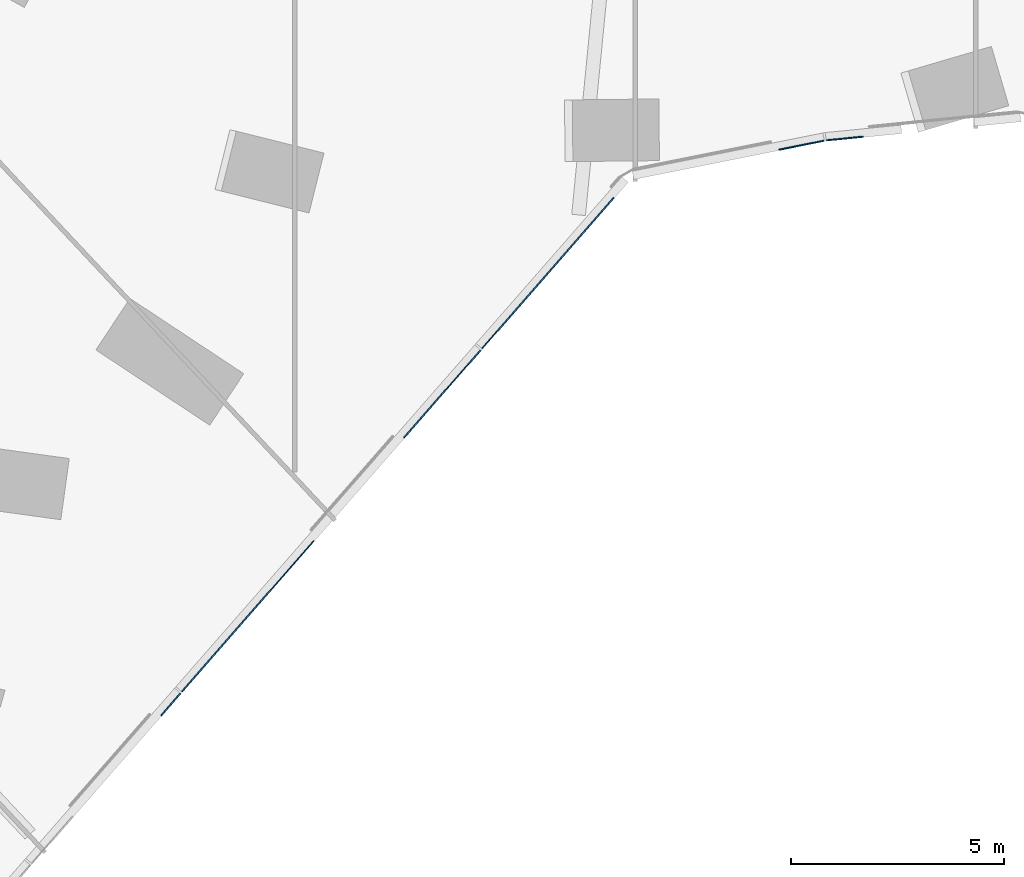
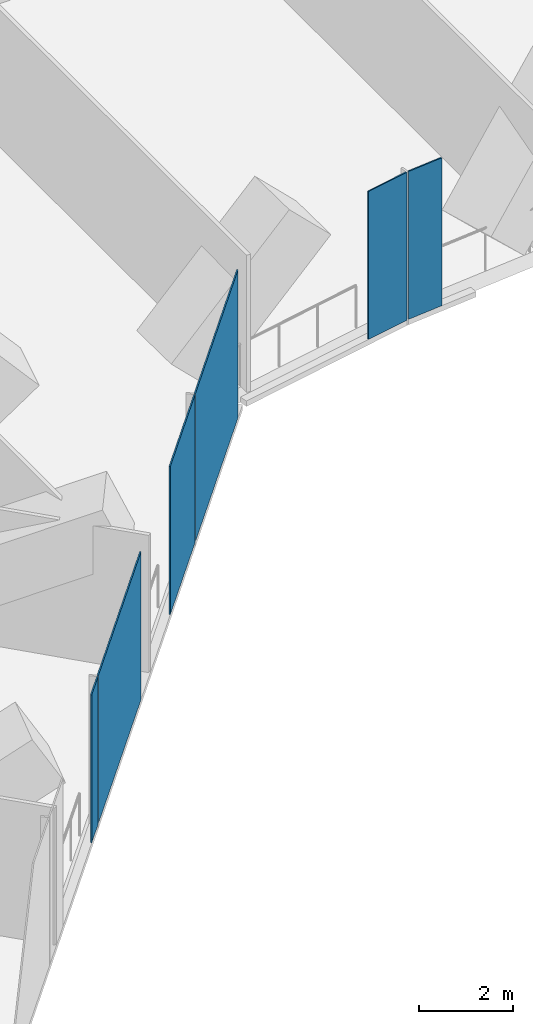
# One storey, part 16 of 31: 6 plates, 3 elements without a shape of their own.
"""IFC4 building model written with IfcOpenShell, lengths in metres."""

import ifcopenshell
import ifcopenshell.guid

model = None  # the IFC model being written
_history = None  # IfcOwnerHistory: only IFC2X3 demands one
_inside = {}  # id of a spatial element -> (the spatial element, [elements in it])
_under = {}  # id of a project, library or spatial element -> (it, [spatial elements below it])
_declared = {}  # id of a project -> (the project, [libraries it declares])
_typed = {}  # id of a type object -> (the type object, [elements of that type])
_made_of = {}  # id of a material, layer set ... -> (it, [elements and type objects made of it])


def new_model(schema):
    """Start an empty IFC model of exactly this schema.

    Asked for "IFC4X3", IfcOpenShell would pick the latest addendum, in which some entities
    have other attributes; the version numbers below select the first issue.
    IFC2X3 requires an IfcOwnerHistory on every rooted entity: one is made here for all.
    """
    global model, _history
    if schema == "IFC4X3":
        model = ifcopenshell.file(schema_version=(4, 3, 0, 0))
    else:
        model = ifcopenshell.file(schema=schema)
    _inside.clear()
    _under.clear()
    _declared.clear()
    _typed.clear()
    _made_of.clear()
    _history = None
    if model.schema == "IFC2X3":
        org = make("IfcOrganization", Name="unknown")
        user = make(
            "IfcPersonAndOrganization",
            ThePerson=make("IfcPerson", FamilyName="unknown"),
            TheOrganization=org,
        )
        app = make(
            "IfcApplication",
            ApplicationDeveloper=org,
            Version="unknown",
            ApplicationFullName="unknown",
            ApplicationIdentifier="unknown",
        )
        _history = make(
            "IfcOwnerHistory",
            OwningUser=user,
            OwningApplication=app,
            ChangeAction="ADDED",
            CreationDate=0,
        )
    return model


def make(cls, **values):
    """One entity of the class cls with the attributes given. An attribute that is None is left unset."""
    return model.create_entity(
        cls, **{name: value for name, value in values.items() if value is not None}
    )


def rooted(cls, **values):
    """An entity with a GlobalId (a new one), such as an element, a storey or a relation."""
    return make(cls, GlobalId=ifcopenshell.guid.new(), OwnerHistory=_history, **values)


def si_unit(unit_type, name, prefix=None):
    """IfcSIUnit, for example si_unit("LENGTHUNIT", "METRE", prefix="MILLI")."""
    return make("IfcSIUnit", UnitType=unit_type, Prefix=prefix, Name=name)


def assignment(units):
    """IfcUnitAssignment: the units of a project."""
    return None if units is None else make("IfcUnitAssignment", Units=units)


def point(xyz):
    """IfcCartesianPoint."""
    return None if xyz is None else make("IfcCartesianPoint", Coordinates=xyz)


def direction(xyz):
    """IfcDirection."""
    return None if xyz is None else make("IfcDirection", DirectionRatios=xyz)


def frame(location, z_axis=None, x_axis=None):
    """IfcAxis2Placement3D, a coordinate frame: its origin and axes. An axis left out is left unset."""
    return make(
        "IfcAxis2Placement3D",
        Location=point(location),
        Axis=direction(z_axis),
        RefDirection=direction(x_axis),
    )


def frame_2d(location, x_axis=None):
    """IfcAxis2Placement2D, a coordinate frame in the plane: its origin and x axis."""
    return make(
        "IfcAxis2Placement2D", Location=point(location), RefDirection=direction(x_axis)
    )


def origin():
    """The frame at (0, 0, 0) with its axes left unset."""
    return frame((0.0, 0.0, 0.0))


def origin_2d():
    """The frame at (0, 0) in the plane with its x axis left unset."""
    return frame_2d((0.0, 0.0))


def place(relative_to, where):
    """IfcLocalPlacement: puts the frame where relative to a parent placement (None: the world)."""
    return make(
        "IfcLocalPlacement", PlacementRelTo=relative_to, RelativePlacement=where
    )


def context(
    kind, dimensions, precision=None, world=None, true_north=None, identifier=None
):
    """IfcGeometricRepresentationContext, for example the 3D "Model" context."""
    return make(
        "IfcGeometricRepresentationContext",
        ContextIdentifier=identifier,
        ContextType=kind,
        CoordinateSpaceDimension=dimensions,
        Precision=precision,
        WorldCoordinateSystem=world,
        TrueNorth=true_north,
    )


def subcontext(parent, identifier, kind, view, scale=None):
    """IfcGeometricRepresentationSubContext, for example "Body" below "Model"."""
    return make(
        "IfcGeometricRepresentationSubContext",
        ContextIdentifier=identifier,
        ContextType=kind,
        ParentContext=parent,
        TargetScale=scale,
        TargetView=view,
    )


def project(units=None, contexts=None):
    """IfcProject with its units and contexts."""
    return rooted(
        "IfcProject",
        Name="project",
        RepresentationContexts=contexts,
        UnitsInContext=assignment(units),
    )


def spatial(cls, under=None, at=None, **own):
    """A site, building, storey or space (cls), placed at a placement, below another one or the project."""
    s = rooted(cls, ObjectPlacement=at, **own)
    if under is not None:
        _under.setdefault(under.id(), (under, []))[1].append(s)
    return s


def profile(cls, at=None, kind="AREA", **sizes):
    """A parametric profile (cls). Its sizes go by their IFC names, for example OverallWidth=200.0."""
    return make(cls, ProfileType=kind, Position=at, **sizes)


def rectangle(**sizes):
    """IfcRectangleProfileDef."""
    return profile("IfcRectangleProfileDef", **sizes)


def extrude(swept, where, along, depth):
    """IfcExtrudedAreaSolid: the profile swept, set in the frame where, extruded along a direction by depth."""
    return make(
        "IfcExtrudedAreaSolid",
        SweptArea=swept,
        Position=where,
        ExtrudedDirection=direction(along),
        Depth=depth,
    )


def shape(context_of_items, identifier, shape_type, items):
    """IfcShapeRepresentation: the items that make up one representation, for example the "Body"."""
    return make(
        "IfcShapeRepresentation",
        ContextOfItems=context_of_items,
        RepresentationIdentifier=identifier,
        RepresentationType=shape_type,
        Items=items,
    )


def material(Name=None, Category=None):
    """IfcMaterial."""
    return make("IfcMaterial", Name=Name, Category=Category)


def layer(
    of_material, thickness, ventilated=None, Name=None, Category=None, Priority=None
):
    """IfcMaterialLayer: one layer of a wall or slab, of a material (None: an air gap)."""
    return make(
        "IfcMaterialLayer",
        Material=of_material,
        LayerThickness=thickness,
        IsVentilated=ventilated,
        Name=Name,
        Category=Category,
        Priority=Priority,
    )


def layer_set(layers, Name=None):
    """IfcMaterialLayerSet."""
    return make("IfcMaterialLayerSet", MaterialLayers=layers, LayerSetName=Name)


def made_of(thing, what):
    """Note that an element or type object is made of a material, layer set ...; save() writes the relation."""
    if what is not None:
        _made_of.setdefault(what.id(), (what, []))[1].append(thing)
    return thing


def type_object(cls, material=None, **own):
    """A type object (cls), such as IfcWallType, which elements share."""
    return made_of(rooted(cls, **own), material)


def element(
    cls,
    number,
    at=None,
    inside=None,
    cuts=None,
    type_object=None,
    material=None,
    context=None,
    identifier="Body",
    shape_type=None,
    held_by="IfcProductDefinitionShape",
    body=None,
    shapes=None,
    **own,
):
    """One element of the class cls, such as IfcWall. Its Tag is "e" and its number.

    at: its placement. inside: the storey or other place that contains it. cuts: it is an
    opening in that element (IfcRelVoidsElement). A single representation is given by context,
    identifier, shape_type and body (its items); several are given by shapes. held_by: the class
    of the entity that holds the representations. save() writes the other relations.
    """
    e = rooted(cls, Tag="e%d" % number, ObjectPlacement=at, **own)
    if body is not None:
        shapes = [shape(context, identifier, shape_type, body)]
    if shapes is not None:
        e.Representation = make(held_by, Representations=shapes)
    if inside is not None:
        _inside.setdefault(inside.id(), (inside, []))[1].append(e)
    if cuts is not None:
        rooted(
            "IfcRelVoidsElement", RelatingBuildingElement=cuts, RelatedOpeningElement=e
        )
    if type_object is not None:
        _typed.setdefault(type_object.id(), (type_object, []))[1].append(e)
    return made_of(e, material)


def aggregate(whole, parts):
    """IfcRelAggregates: a whole, such as a stair, and the parts it consists of."""
    return rooted("IfcRelAggregates", RelatingObject=whole, RelatedObjects=parts)


def save(model, path):
    """Write the relations noted so far, then the file.

    IfcRelAggregates (storeys below a building ...), IfcRelContainedInSpatialStructure (elements
    in a storey), IfcRelDefinesByType, IfcRelAssociatesMaterial and IfcRelDeclares: one each for
    every whole, place, type object, material and project.
    """
    for whole, parts in _under.values():
        aggregate(whole, parts)
    for where, things in _inside.values():
        rooted(
            "IfcRelContainedInSpatialStructure",
            RelatedElements=things,
            RelatingStructure=where,
        )
    for kind, things in _typed.values():
        rooted("IfcRelDefinesByType", RelatedObjects=things, RelatingType=kind)
    for what, things in _made_of.values():
        rooted("IfcRelAssociatesMaterial", RelatedObjects=things, RelatingMaterial=what)
    for by, libraries in _declared.values():
        rooted("IfcRelDeclares", RelatingContext=by, RelatedDefinitions=libraries)
    model.write(path)


model = new_model("IFC4")

# Units and contexts
model_context = context("Model", 3, precision=1e-05, world=origin(), true_north=direction((0.0, 1.0)))
body_context = subcontext(model_context, "Body", "Model", "MODEL_VIEW")
ifc_project = project(units=[si_unit("LENGTHUNIT", "METRE"), si_unit("AREAUNIT", "SQUARE_METRE"), si_unit("VOLUMEUNIT", "CUBIC_METRE"), si_unit("PLANEANGLEUNIT", "RADIAN"), si_unit("MASSUNIT", "GRAM", prefix="KILO")], contexts=[model_context])

# Site, building, storey
site_placement = place(None, origin())
site = spatial("IfcSite", under=ifc_project, at=site_placement, CompositionType="ELEMENT")
building_placement = place(site_placement, origin())
building = spatial("IfcBuilding", under=site, at=building_placement, Name="Orlundy Tower", CompositionType="ELEMENT")
storey_placement = place(building_placement, frame((0.0, 0.0, 54.800048828125)))
storey = spatial("IfcBuildingStorey", under=building, at=storey_placement, Name="L12", CompositionType="ELEMENT", Elevation=54.800048828125)

# Curtain wall, plates
ifc_material_1 = material(Name="Aluminium bronze anodised", Category="aluminium")
curtain_wall_type = type_object("IfcCurtainWallType", Name="CW5 wall", PredefinedType="NOTDEFINED", material=ifc_material_1)
curtain_wall_1_placement = place(storey_placement, origin())
curtain_wall_1 = element("IfcCurtainWall", 1, at=curtain_wall_1_placement, inside=storey, type_object=curtain_wall_type, Name="CW5 run 00", PredefinedType="NOTDEFINED")
ifc_material_2 = material(Name="Tinted glass", Category="glass")
ifc_layer_1 = layer(ifc_material_2, 0.031982421875)
ifc_layer_set_1 = layer_set([ifc_layer_1], Name="CW5 glass panel 32")
plate_type_1 = type_object("IfcPlateType", Name="CW5 glass panel 32", PredefinedType="CURTAIN_PANEL", material=ifc_layer_set_1)
plate_1_placement = place(storey_placement, frame((-4.5302734375, -35.843994140625, -0.26025390625), z_axis=(0.0, 0.0, 1.0), x_axis=(-0.658258754452, -0.752791745563, 0.0)))
plate_1 = element("IfcPlate", 2, at=plate_1_placement, type_object=plate_type_1, Name="CW5 panel", PredefinedType="CURTAIN_PANEL", context=body_context, shape_type="SweptSolid", body=[
    extrude(rectangle(XDim=2.735107421875, YDim=0.031982421875, at=origin_2d()), origin(), (0.0, 0.0, 1.0), 3.860107421875),
])
plate_2_placement = place(storey_placement, frame((-9.100830078125, -41.07080078125, -0.26025390625), z_axis=(0.0, 0.0, 1.0), x_axis=(-0.658258754452, -0.752791745563, 0.0)))
plate_2 = element("IfcPlate", 3, at=plate_2_placement, type_object=plate_type_1, Name="CW5 panel", PredefinedType="CURTAIN_PANEL", context=body_context, shape_type="SweptSolid", body=[
    extrude(rectangle(XDim=4.705810546875, YDim=0.031982421875, at=origin_2d()), origin(), (0.0, 0.0, 1.0), 3.860107421875),
])

# Curtain wall, plate
curtain_wall_2_placement = place(storey_placement, origin())
curtain_wall_2 = element("IfcCurtainWall", 4, at=curtain_wall_2_placement, inside=storey, type_object=curtain_wall_type, Name="CW5 run 042", PredefinedType="NOTDEFINED")
plate_3_placement = place(storey_placement, frame((4.926025390625, -29.843505859375, -0.26025390625), z_axis=(0.0, 0.0, 1.0), x_axis=(-0.995111801378, -0.098754760691, 0.0)))
plate_3 = element("IfcPlate", 5, at=plate_3_placement, type_object=plate_type_1, Name="CW5 panel", PredefinedType="CURTAIN_PANEL", context=body_context, shape_type="SweptSolid", body=[
    extrude(rectangle(XDim=0.874267578125, YDim=0.031982421875, at=origin_2d()), origin(), (0.0, 0.0, 1.0), 3.860107421875),
])
aggregate(curtain_wall_2, [plate_3])

# Plate
ifc_material_3 = material(Name="Tinted glass", Category="glass")
ifc_layer_2 = layer(ifc_material_3, 0.031982421875)
ifc_layer_set_2 = layer_set([ifc_layer_2], Name="CW5 vent panel 32")
plate_type_2 = type_object("IfcPlateType", Name="CW5 vent panel 32", PredefinedType="CURTAIN_PANEL", material=ifc_layer_set_2)
plate_4_placement = place(storey_placement, frame((-2.0498046875, -33.00732421875, -0.26025390625), z_axis=(0.0, 0.0, 1.0), x_axis=(-0.658258754452, -0.752791745563, 0.0)))
plate_4 = element("IfcPlate", 6, at=plate_4_placement, type_object=plate_type_2, Name="CW5 panel", PredefinedType="CURTAIN_PANEL", context=body_context, shape_type="SweptSolid", body=[
    extrude(rectangle(XDim=4.701416015625, YDim=0.031982421875, at=origin_2d()), origin(), (0.0, 0.0, 1.0), 3.860107421875),
])

plate_5_placement = place(storey_placement, frame((-10.91015625, -43.14013671875, -0.26025390625), z_axis=(0.0, 0.0, 1.0), x_axis=(-0.658258754452, -0.752791745563, 0.0)))
plate_5 = element("IfcPlate", 7, at=plate_5_placement, type_object=plate_type_2, Name="CW5 panel", PredefinedType="CURTAIN_PANEL", context=body_context, shape_type="SweptSolid", body=[
    extrude(rectangle(XDim=0.691650390625, YDim=0.031982421875, at=origin_2d()), origin(), (0.0, 0.0, 1.0), 3.860107421875),
])

aggregate(curtain_wall_1, [plate_4, plate_1, plate_2, plate_5])

# Curtain wall, plate
curtain_wall_3_placement = place(storey_placement, origin())
curtain_wall_3 = element("IfcCurtainWall", 8, at=curtain_wall_3_placement, inside=storey, type_object=curtain_wall_type, Name="CW5 run 043", PredefinedType="NOTDEFINED")
plate_6_placement = place(storey_placement, frame((3.90966796875, -30.000732421875, -0.26025390625), z_axis=(0.0, 0.0, 1.0), x_axis=(-0.980499753096, -0.196520314927, 0.0)))
plate_6 = element("IfcPlate", 9, at=plate_6_placement, type_object=plate_type_2, Name="CW5 panel", PredefinedType="CURTAIN_PANEL", context=body_context, shape_type="SweptSolid", body=[
    extrude(rectangle(XDim=1.0849609375, YDim=0.031982421875, at=origin_2d()), origin(), (0.0, 0.0, 1.0), 3.860107421875),
])
aggregate(curtain_wall_3, [plate_6])

save(model, "model.ifc")
